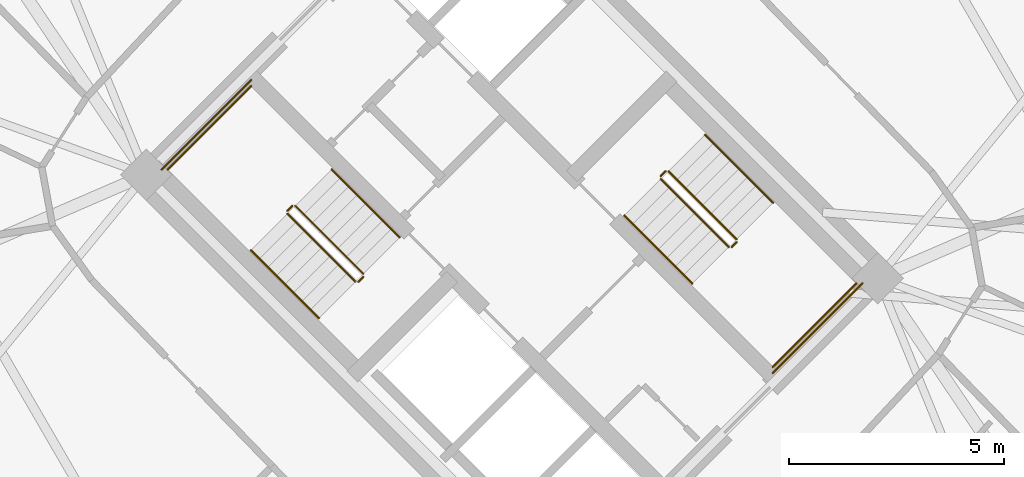
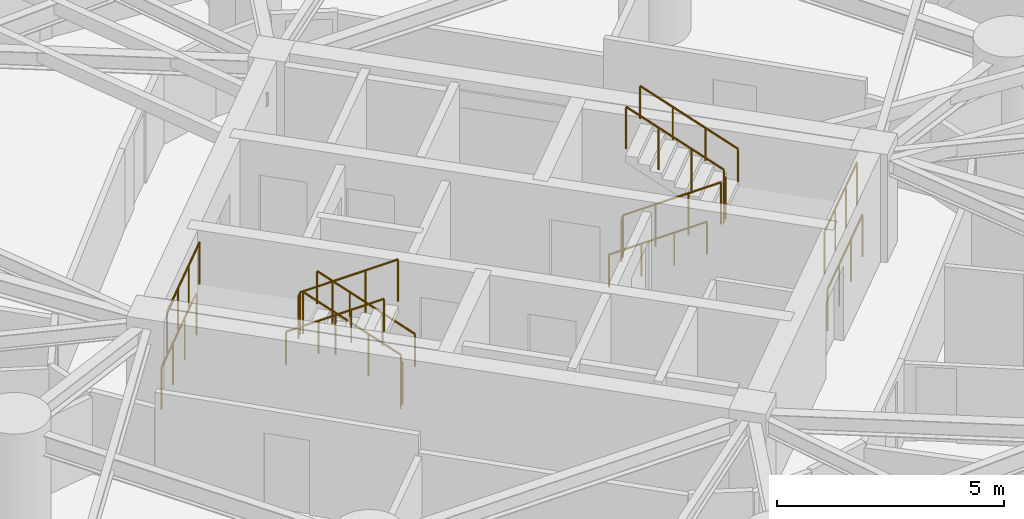
# One storey, part 19 of 20: 16 railings.
"""IFC4 building model written with IfcOpenShell, lengths in metres."""

from ifc_helpers import new_model, si_unit, direction, frame, origin, origin_2d, place, context, subcontext, project, spatial, circle, extrude, material, type_object, element, save


model = new_model("IFC4")

# Units and contexts
model_context = context("Model", 3, precision=1e-05, world=origin(), true_north=direction((0.0, 1.0)))
body_context = subcontext(model_context, "Body", "Model", "MODEL_VIEW")
ifc_project = project(units=[si_unit("LENGTHUNIT", "METRE"), si_unit("AREAUNIT", "SQUARE_METRE"), si_unit("VOLUMEUNIT", "CUBIC_METRE"), si_unit("PLANEANGLEUNIT", "RADIAN"), si_unit("MASSUNIT", "GRAM", prefix="KILO")], contexts=[model_context])

# Site, building, storey
site_placement = place(None, origin())
site = spatial("IfcSite", under=ifc_project, at=site_placement, CompositionType="ELEMENT")
building_placement = place(site_placement, origin())
building = spatial("IfcBuilding", under=site, at=building_placement, Name="Cununo Teusaquillo Station Towers", CompositionType="ELEMENT")
storey_placement = place(building_placement, frame((0.0, 0.0, 39.4599609375)))
storey = spatial("IfcBuildingStorey", under=building, at=storey_placement, Name="L11", CompositionType="ELEMENT", Elevation=39.4599609375)

# Railings
ifc_material_1 = material(Name="Steel EN 10025-2 S355J2", Category="steel")
railing_type_1 = type_object("IfcRailingType", Name="RL-INT-GUARD", PredefinedType="GUARDRAIL", material=ifc_material_1)
railing_1_placement = place(storey_placement, frame((54.03515625, 23.39697265625, 0.16162109375)))
element("IfcRailing", 1, at=railing_1_placement, inside=storey, type_object=railing_type_1, Name="L11 ST-T2-1 stair guard 1", PredefinedType="GUARDRAIL", context=body_context, shape_type="SweptSolid", body=[
    extrude(circle(Radius=0.02392578125, at=origin_2d()), frame((0.0, 0.0, 1.1259765625), z_axis=(-0.612332353853, 0.612332353853, 0.500098167213), x_axis=(-0.707106781187, -0.707106781187, 0.0)), (0.0, 0.0, 1.0), 2.58642578125),
    extrude(circle(Radius=0.02099609375, at=origin_2d()), origin(), (0.0, 0.0, 1.0), 1.101806640625),
    extrude(circle(Radius=0.02099609375, at=origin_2d()), frame((-0.52783203125, 0.52783203125, 0.43115234375)), (0.0, 0.0, 1.0), 1.101806640625),
    extrude(circle(Radius=0.02099609375, at=origin_2d()), frame((-1.055908203125, 1.055908203125, 0.8623046875)), (0.0, 0.0, 1.0), 1.101806640625),
    extrude(circle(Radius=0.02099609375, at=origin_2d()), frame((-1.583740234375, 1.583740234375, 1.29345703125)), (0.0, 0.0, 1.0), 1.101806640625),
])
railing_2_placement = place(storey_placement, frame((52.380615234375, 24.980712890625, 1.455078125)))
element("IfcRailing", 2, at=railing_2_placement, inside=storey, type_object=railing_type_1, Name="L11 ST-T2-1 stair guard 2", PredefinedType="GUARDRAIL", context=body_context, shape_type="SweptSolid", body=[
    extrude(circle(Radius=0.02392578125, at=origin_2d()), frame((0.0, 0.0, 1.1259765625), z_axis=(-0.7078691598, -0.706343579714, 0.0), x_axis=(0.706343579714, -0.7078691598, 0.0)), (0.0, 0.0, 1.0), 0.159912109375),
    extrude(circle(Radius=0.02099609375, at=origin_2d()), origin(), (0.0, 0.0, 1.0), 1.101806640625),
    extrude(circle(Radius=0.02099609375, at=origin_2d()), frame((-0.11328125, -0.113037109375, 0.0)), (0.0, 0.0, 1.0), 1.101806640625),
])
railing_3_placement = place(storey_placement, frame((51.426025390625, 27.77392578125, 1.455078125)))
element("IfcRailing", 3, at=railing_3_placement, inside=storey, type_object=railing_type_1, Name="L11 ST-T2-1 stair guard 3", PredefinedType="GUARDRAIL", context=body_context, shape_type="SweptSolid", body=[
    extrude(circle(Radius=0.02392578125, at=origin_2d()), frame((0.0, 0.0, 1.1259765625), z_axis=(-0.707106781187, -0.707106781187, 0.0), x_axis=(0.707106781187, -0.707106781187, 0.0)), (0.0, 0.0, 1.0), 2.760009765625),
    extrude(circle(Radius=0.02099609375, at=origin_2d()), origin(), (0.0, 0.0, 1.0), 1.101806640625),
    extrude(circle(Radius=0.02099609375, at=origin_2d()), frame((-0.650634765625, -0.650634765625, 0.0)), (0.0, 0.0, 1.0), 1.101806640625),
    extrude(circle(Radius=0.02099609375, at=origin_2d()), frame((-1.301025390625, -1.301025390625, 0.0)), (0.0, 0.0, 1.0), 1.101806640625),
    extrude(circle(Radius=0.02099609375, at=origin_2d()), frame((-1.95166015625, -1.95166015625, 0.0)), (0.0, 0.0, 1.0), 1.101806640625),
])
railing_4_placement = place(storey_placement, frame((52.267333984375, 24.796875, 1.61669921875)))
element("IfcRailing", 4, at=railing_4_placement, inside=storey, type_object=railing_type_1, Name="L11 ST-T2-1 stair guard 4", PredefinedType="GUARDRAIL", context=body_context, shape_type="SweptSolid", body=[
    extrude(circle(Radius=0.02392578125, at=origin_2d()), frame((0.0, 0.0, 1.1259765625), z_axis=(0.612391349474, -0.612296961165, 0.500069261639), x_axis=(0.707052281454, 0.707161276719, 0.0)), (0.0, 0.0, 1.0), 2.586669921875),
    extrude(circle(Radius=0.02099609375, at=origin_2d()), origin(), (0.0, 0.0, 1.0), 1.101806640625),
    extrude(circle(Radius=0.02099609375, at=origin_2d()), frame((0.528076171875, -0.52783203125, 0.43115234375)), (0.0, 0.0, 1.0), 1.101806640625),
    extrude(circle(Radius=0.02099609375, at=origin_2d()), frame((1.055908203125, -1.055908203125, 0.8623046875)), (0.0, 0.0, 1.0), 1.101806640625),
    extrude(circle(Radius=0.02099609375, at=origin_2d()), frame((1.583984375, -1.583740234375, 1.29345703125)), (0.0, 0.0, 1.0), 1.101806640625),
])
railing_5_placement = place(storey_placement, frame((54.03515625, 23.326171875, 0.0)))
element("IfcRailing", 5, at=railing_5_placement, inside=storey, type_object=railing_type_1, Name="L11 ST-T2-1 stair guard 5", PredefinedType="GUARDRAIL", context=body_context, shape_type="SweptSolid", body=[
    extrude(circle(Radius=0.02392578125, at=origin_2d()), frame((0.0, 0.0, 1.1259765625), z_axis=(-0.707106781187, -0.707106781187, 0.0), x_axis=(0.707106781187, -0.707106781187, 0.0)), (0.0, 0.0, 1.0), 0.159912109375),
    extrude(circle(Radius=0.02099609375, at=origin_2d()), origin(), (0.0, 0.0, 1.0), 1.101806640625),
    extrude(circle(Radius=0.02099609375, at=origin_2d()), frame((-0.113037109375, -0.113037109375, 0.0)), (0.0, 0.0, 1.0), 1.101806640625),
])
railing_6_placement = place(storey_placement, frame((51.426025390625, 27.915283203125, 0.0)))
element("IfcRailing", 6, at=railing_6_placement, inside=storey, type_object=railing_type_1, Name="L11 ST-T2-1 stair guard 6", PredefinedType="GUARDRAIL", context=body_context, shape_type="SweptSolid", body=[
    extrude(circle(Radius=0.02392578125, at=origin_2d()), frame((0.0, 0.0, 1.1259765625), z_axis=(-0.707106781187, -0.707106781187, 0.0), x_axis=(0.707106781187, -0.707106781187, 0.0)), (0.0, 0.0, 1.0), 2.9599609375),
    extrude(circle(Radius=0.02099609375, at=origin_2d()), origin(), (0.0, 0.0, 1.0), 1.101806640625),
    extrude(circle(Radius=0.02099609375, at=origin_2d()), frame((-0.69775390625, -0.69775390625, 0.0)), (0.0, 0.0, 1.0), 1.101806640625),
    extrude(circle(Radius=0.02099609375, at=origin_2d()), frame((-1.395263671875, -1.395263671875, 0.0)), (0.0, 0.0, 1.0), 1.101806640625),
    extrude(circle(Radius=0.02099609375, at=origin_2d()), frame((-2.093017578125, -2.093017578125, 0.0)), (0.0, 0.0, 1.0), 1.101806640625),
])
railing_7_placement = place(storey_placement, frame((60.96484375, 25.60302734375, 0.16162109375)))
element("IfcRailing", 7, at=railing_7_placement, inside=storey, type_object=railing_type_1, Name="L11 ST-T2-2 stair guard 1", PredefinedType="GUARDRAIL", context=body_context, shape_type="SweptSolid", body=[
    extrude(circle(Radius=0.02392578125, at=origin_2d()), frame((0.0, 0.0, 1.1259765625), z_axis=(0.612332353853, -0.612332353853, 0.500098167213), x_axis=(0.707106781187, 0.707106781187, 0.0)), (0.0, 0.0, 1.0), 2.58642578125),
    extrude(circle(Radius=0.02099609375, at=origin_2d()), origin(), (0.0, 0.0, 1.0), 1.101806640625),
    extrude(circle(Radius=0.02099609375, at=origin_2d()), frame((0.52783203125, -0.52783203125, 0.43115234375)), (0.0, 0.0, 1.0), 1.101806640625),
    extrude(circle(Radius=0.02099609375, at=origin_2d()), frame((1.055908203125, -1.055908203125, 0.8623046875)), (0.0, 0.0, 1.0), 1.101806640625),
    extrude(circle(Radius=0.02099609375, at=origin_2d()), frame((1.583740234375, -1.583740234375, 1.29345703125)), (0.0, 0.0, 1.0), 1.101806640625),
])
railing_8_placement = place(storey_placement, frame((62.619384765625, 24.019287109375, 1.455078125)))
element("IfcRailing", 8, at=railing_8_placement, inside=storey, type_object=railing_type_1, Name="L11 ST-T2-2 stair guard 2", PredefinedType="GUARDRAIL", context=body_context, shape_type="SweptSolid", body=[
    extrude(circle(Radius=0.02392578125, at=origin_2d()), frame((0.0, 0.0, 1.1259765625), z_axis=(0.7078691598, 0.706343579714, 0.0), x_axis=(-0.706343579714, 0.7078691598, 0.0)), (0.0, 0.0, 1.0), 0.159912109375),
    extrude(circle(Radius=0.02099609375, at=origin_2d()), origin(), (0.0, 0.0, 1.0), 1.101806640625),
    extrude(circle(Radius=0.02099609375, at=origin_2d()), frame((0.11328125, 0.113037109375, 0.0)), (0.0, 0.0, 1.0), 1.101806640625),
])
railing_9_placement = place(storey_placement, frame((63.573974609375, 21.22607421875, 1.455078125)))
element("IfcRailing", 9, at=railing_9_placement, inside=storey, type_object=railing_type_1, Name="L11 ST-T2-2 stair guard 3", PredefinedType="GUARDRAIL", context=body_context, shape_type="SweptSolid", body=[
    extrude(circle(Radius=0.02392578125, at=origin_2d()), frame((0.0, 0.0, 1.1259765625), z_axis=(0.707106781187, 0.707106781187, 0.0), x_axis=(-0.707106781187, 0.707106781187, 0.0)), (0.0, 0.0, 1.0), 2.760009765625),
    extrude(circle(Radius=0.02099609375, at=origin_2d()), origin(), (0.0, 0.0, 1.0), 1.101806640625),
    extrude(circle(Radius=0.02099609375, at=origin_2d()), frame((0.650634765625, 0.650634765625, 0.0)), (0.0, 0.0, 1.0), 1.101806640625),
    extrude(circle(Radius=0.02099609375, at=origin_2d()), frame((1.301025390625, 1.301025390625, 0.0)), (0.0, 0.0, 1.0), 1.101806640625),
    extrude(circle(Radius=0.02099609375, at=origin_2d()), frame((1.95166015625, 1.95166015625, 0.0)), (0.0, 0.0, 1.0), 1.101806640625),
])
railing_10_placement = place(storey_placement, frame((62.732666015625, 24.203125, 1.61669921875)))
element("IfcRailing", 10, at=railing_10_placement, inside=storey, type_object=railing_type_1, Name="L11 ST-T2-2 stair guard 4", PredefinedType="GUARDRAIL", context=body_context, shape_type="SweptSolid", body=[
    extrude(circle(Radius=0.02392578125, at=origin_2d()), frame((0.0, 0.0, 1.1259765625), z_axis=(-0.612391349474, 0.612296961165, 0.500069261639), x_axis=(-0.707052281454, -0.707161276719, 0.0)), (0.0, 0.0, 1.0), 2.586669921875),
    extrude(circle(Radius=0.02099609375, at=origin_2d()), origin(), (0.0, 0.0, 1.0), 1.101806640625),
    extrude(circle(Radius=0.02099609375, at=origin_2d()), frame((-0.528076171875, 0.52783203125, 0.43115234375)), (0.0, 0.0, 1.0), 1.101806640625),
    extrude(circle(Radius=0.02099609375, at=origin_2d()), frame((-1.055908203125, 1.055908203125, 0.8623046875)), (0.0, 0.0, 1.0), 1.101806640625),
    extrude(circle(Radius=0.02099609375, at=origin_2d()), frame((-1.583984375, 1.583740234375, 1.29345703125)), (0.0, 0.0, 1.0), 1.101806640625),
])
railing_11_placement = place(storey_placement, frame((60.96484375, 25.673828125, 0.0)))
element("IfcRailing", 11, at=railing_11_placement, inside=storey, type_object=railing_type_1, Name="L11 ST-T2-2 stair guard 5", PredefinedType="GUARDRAIL", context=body_context, shape_type="SweptSolid", body=[
    extrude(circle(Radius=0.02392578125, at=origin_2d()), frame((0.0, 0.0, 1.1259765625), z_axis=(0.707106781187, 0.707106781187, 0.0), x_axis=(-0.707106781187, 0.707106781187, 0.0)), (0.0, 0.0, 1.0), 0.159912109375),
    extrude(circle(Radius=0.02099609375, at=origin_2d()), origin(), (0.0, 0.0, 1.0), 1.101806640625),
    extrude(circle(Radius=0.02099609375, at=origin_2d()), frame((0.113037109375, 0.113037109375, 0.0)), (0.0, 0.0, 1.0), 1.101806640625),
])
railing_12_placement = place(storey_placement, frame((63.573974609375, 21.084716796875, 0.0)))
element("IfcRailing", 12, at=railing_12_placement, inside=storey, type_object=railing_type_1, Name="L11 ST-T2-2 stair guard 6", PredefinedType="GUARDRAIL", context=body_context, shape_type="SweptSolid", body=[
    extrude(circle(Radius=0.02392578125, at=origin_2d()), frame((0.0, 0.0, 1.1259765625), z_axis=(0.707106781187, 0.707106781187, 0.0), x_axis=(-0.707106781187, 0.707106781187, 0.0)), (0.0, 0.0, 1.0), 2.9599609375),
    extrude(circle(Radius=0.02099609375, at=origin_2d()), origin(), (0.0, 0.0, 1.0), 1.101806640625),
    extrude(circle(Radius=0.02099609375, at=origin_2d()), frame((0.69775390625, 0.69775390625, 0.0)), (0.0, 0.0, 1.0), 1.101806640625),
    extrude(circle(Radius=0.02099609375, at=origin_2d()), frame((1.395263671875, 1.395263671875, 0.0)), (0.0, 0.0, 1.0), 1.101806640625),
    extrude(circle(Radius=0.02099609375, at=origin_2d()), frame((2.093017578125, 2.093017578125, 0.0)), (0.0, 0.0, 1.0), 1.101806640625),
])
ifc_material_2 = material(Name="Steel EN 10025-2 S355J2", Category="steel")
railing_type_2 = type_object("IfcRailingType", Name="RL-INT-HRAIL", PredefinedType="HANDRAIL", material=ifc_material_2)
railing_13_placement = place(storey_placement, frame((54.8837890625, 24.245361328125, 0.16162109375)))
element("IfcRailing", 13, at=railing_13_placement, inside=storey, type_object=railing_type_2, Name="L11 ST-T2-1 stair handrail 1", PredefinedType="HANDRAIL", context=body_context, shape_type="SweptSolid", body=[
    extrude(circle(Radius=0.02392578125, at=origin_2d()), frame((0.0, 0.0, 0.8759765625), z_axis=(-0.612355957468, 0.612355957468, 0.500040361077), x_axis=(-0.707106781187, -0.707106781187, 0.0)), (0.0, 0.0, 1.0), 2.586669921875),
    extrude(circle(Radius=0.02099609375, at=origin_2d()), origin(), (0.0, 0.0, 1.0), 0.851806640625),
    extrude(circle(Radius=0.02099609375, at=origin_2d()), frame((-0.528076171875, 0.528076171875, 0.43115234375)), (0.0, 0.0, 1.0), 0.851806640625),
    extrude(circle(Radius=0.02099609375, at=origin_2d()), frame((-1.055908203125, 1.055908203125, 0.8623046875)), (0.0, 0.0, 1.0), 0.851806640625),
    extrude(circle(Radius=0.02099609375, at=origin_2d()), frame((-1.583984375, 1.583984375, 1.29345703125)), (0.0, 0.0, 1.0), 0.851806640625),
])
for number, where, name in (
    (14, (51.4189453125, 23.948486328125, 1.61669921875), "L11 ST-T2-1 stair handrail 2"),
    (15, (60.1162109375, 24.754638671875, 0.16162109375), "L11 ST-T2-2 stair handrail 1"),
):
    element("IfcRailing", number, at=place(storey_placement, frame(where)), inside=storey, type_object=railing_type_2, Name=name, PredefinedType="HANDRAIL", context=body_context, shape_type="SweptSolid", body=[
        extrude(circle(Radius=0.02392578125, at=origin_2d()), frame((0.0, 0.0, 0.8759765625), z_axis=(0.612355957468, -0.612355957468, 0.500040361077), x_axis=(0.707106781187, 0.707106781187, 0.0)), (0.0, 0.0, 1.0), 2.586669921875),
        extrude(circle(Radius=0.02099609375, at=origin_2d()), origin(), (0.0, 0.0, 1.0), 0.851806640625),
        extrude(circle(Radius=0.02099609375, at=origin_2d()), frame((0.528076171875, -0.528076171875, 0.43115234375)), (0.0, 0.0, 1.0), 0.851806640625),
        extrude(circle(Radius=0.02099609375, at=origin_2d()), frame((1.055908203125, -1.055908203125, 0.8623046875)), (0.0, 0.0, 1.0), 0.851806640625),
        extrude(circle(Radius=0.02099609375, at=origin_2d()), frame((1.583984375, -1.583984375, 1.29345703125)), (0.0, 0.0, 1.0), 0.851806640625),
    ])
railing_14_placement = place(storey_placement, frame((63.5810546875, 25.051513671875, 1.61669921875)))
element("IfcRailing", 16, at=railing_14_placement, inside=storey, type_object=railing_type_2, Name="L11 ST-T2-2 stair handrail 2", PredefinedType="HANDRAIL", context=body_context, shape_type="SweptSolid", body=[
    extrude(circle(Radius=0.02392578125, at=origin_2d()), frame((0.0, 0.0, 0.8759765625), z_axis=(-0.612355957468, 0.612355957468, 0.500040361077), x_axis=(-0.707106781187, -0.707106781187, 0.0)), (0.0, 0.0, 1.0), 2.586669921875),
    extrude(circle(Radius=0.02099609375, at=origin_2d()), origin(), (0.0, 0.0, 1.0), 0.851806640625),
    extrude(circle(Radius=0.02099609375, at=origin_2d()), frame((-0.528076171875, 0.528076171875, 0.43115234375)), (0.0, 0.0, 1.0), 0.851806640625),
    extrude(circle(Radius=0.02099609375, at=origin_2d()), frame((-1.055908203125, 1.055908203125, 0.8623046875)), (0.0, 0.0, 1.0), 0.851806640625),
    extrude(circle(Radius=0.02099609375, at=origin_2d()), frame((-1.583984375, 1.583984375, 1.29345703125)), (0.0, 0.0, 1.0), 0.851806640625),
])

save(model, "model.ifc")
